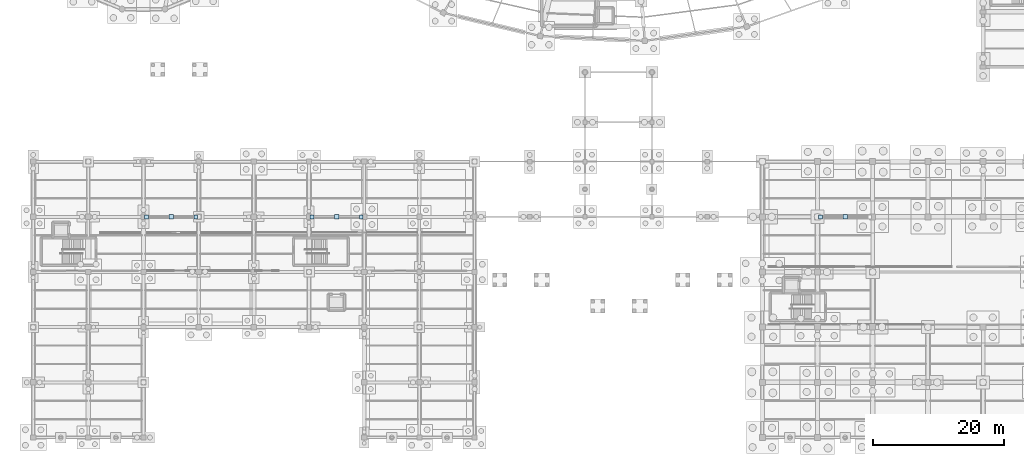
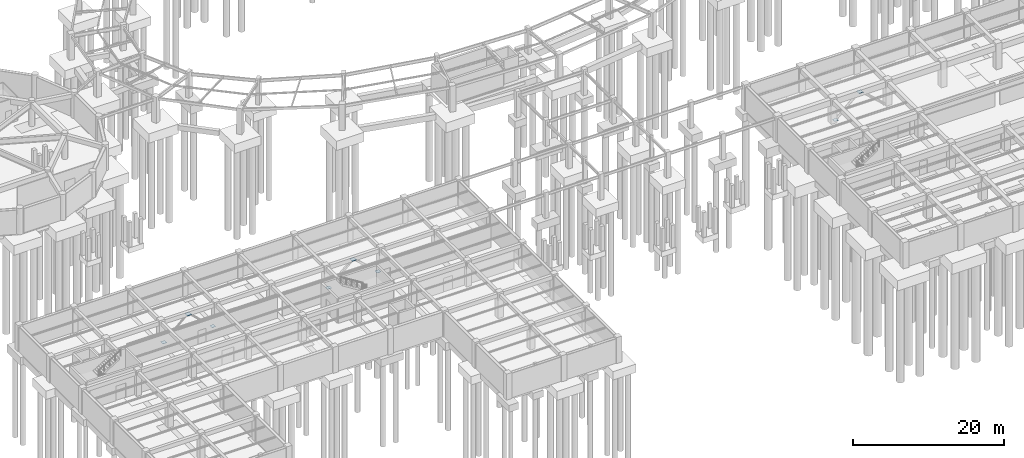
# One storey, part 22 of 38: 8 plates.
"""IFC4 building model written with IfcOpenShell, lengths in metres."""

from ifc_helpers import new_model, si_unit, direction, frame, origin, origin_2d, place, context, subcontext, project, spatial, rectangle, extrude, material, layer, layer_set, type_object, element, save


model = new_model("IFC4")

# Units and contexts
model_context = context("Model", 3, precision=1e-05, world=origin(), true_north=direction((0.0, 1.0)))
body_context = subcontext(model_context, "Body", "Model", "MODEL_VIEW")
ifc_project = project(units=[si_unit("LENGTHUNIT", "METRE"), si_unit("AREAUNIT", "SQUARE_METRE"), si_unit("VOLUMEUNIT", "CUBIC_METRE"), si_unit("PLANEANGLEUNIT", "RADIAN"), si_unit("MASSUNIT", "GRAM", prefix="KILO"), si_unit("THERMODYNAMICTEMPERATUREUNIT", "KELVIN"), si_unit("POWERUNIT", "WATT")], contexts=[model_context])

# Site, building, storey
site_placement = place(None, origin())
site = spatial("IfcSite", under=ifc_project, at=site_placement, CompositionType="ELEMENT")
building_placement = place(site_placement, origin())
building = spatial("IfcBuilding", under=site, at=building_placement, Name="Darbajah Civic Hall", CompositionType="ELEMENT")
storey_placement = place(building_placement, frame((0.0, 0.0, -4.199951171875)))
storey = spatial("IfcBuildingStorey", under=building, at=storey_placement, Name="B01", CompositionType="ELEMENT", Elevation=-4.199951171875)

# Plates
ifc_material = material(Name="Steel S355JR", Category="steel")
ifc_layer_1 = layer(ifc_material, 0.030029296875, Name="Steel S355JR")
ifc_layer_set_1 = layer_set([ifc_layer_1], Name="Steel S355JR")
plate_type_1 = type_object("IfcPlateType", Name="Steel Gusset Plate 600x600x30", PredefinedType="SHEET", material=ifc_layer_set_1)
for number, where, z_axis, x_axis, name in (
    (1, (119.85009765625, 33.60009765625, 0.18505859375), (0.0, 0.0, 1.0), (1.0, 0.0, 0.0), "B01 chevron gusset plate BR-B01-1-BL"),
    (2, (17.25, 33.60009765625, 0.18505859375), (0.0, 0.0, 1.0), (1.0, 0.0, 0.0), "B01 chevron gusset plate BR-B01-3-BL"),
    (3, (24.75, 33.60009765625, 0.18505859375), (0.0, 0.0, 1.0), (1.0, 0.0, 0.0), "B01 chevron gusset plate BR-B01-3-BR"),
    (4, (42.449951171875, 33.60009765625, 0.18505859375), (0.0, 0.0, 1.0), (1.0, 0.0, 0.0), "B01 chevron gusset plate BR-B01-4-BL"),
    (5, (49.949951171875, 33.60009765625, 0.18505859375), (0.0, 0.0, 1.0), (1.0, 0.0, 0.0), "B01 chevron gusset plate BR-B01-4-BR"),
):
    element("IfcPlate", number, at=place(storey_placement, frame(where, z_axis=z_axis, x_axis=x_axis)), inside=storey, type_object=plate_type_1, Name=name, PredefinedType="SHEET", context=body_context, shape_type="SweptSolid", body=[
        extrude(rectangle(XDim=0.60009765625, YDim=0.60009765625, at=origin_2d()), origin(), (0.0, 0.0, 1.0), 0.030029296875),
    ])
ifc_layer_2 = layer(ifc_material, 0.034912109375, Name="Steel S355JR")
ifc_layer_set_2 = layer_set([ifc_layer_2], Name="Steel S355JR")
plate_type_2 = type_object("IfcPlateType", Name="Steel Gusset Plate 680x680x35", PredefinedType="SHEET", material=ifc_layer_set_2)
for number, where, z_axis, x_axis, name in (
    (6, (123.60009765625, 33.60009765625, 3.4326171875), (0.0, 0.0, 1.0), (1.0, 0.0, 0.0), "B01 chevron gusset plate BR-B01-1-TOP"),
    (7, (21.0, 33.60009765625, 3.4326171875), (0.0, 0.0, 1.0), (1.0, 0.0, 0.0), "B01 chevron gusset plate BR-B01-3-TOP"),
    (8, (46.199951171875, 33.60009765625, 3.4326171875), (0.0, 0.0, 1.0), (1.0, 0.0, 0.0), "B01 chevron gusset plate BR-B01-4-TOP"),
):
    element("IfcPlate", number, at=place(storey_placement, frame(where, z_axis=z_axis, x_axis=x_axis)), inside=storey, type_object=plate_type_2, Name=name, PredefinedType="SHEET", context=body_context, shape_type="SweptSolid", body=[
        extrude(rectangle(XDim=0.679931640625, YDim=0.679931640625, at=origin_2d()), origin(), (0.0, 0.0, 1.0), 0.034912109375),
    ])

save(model, "model.ifc")
